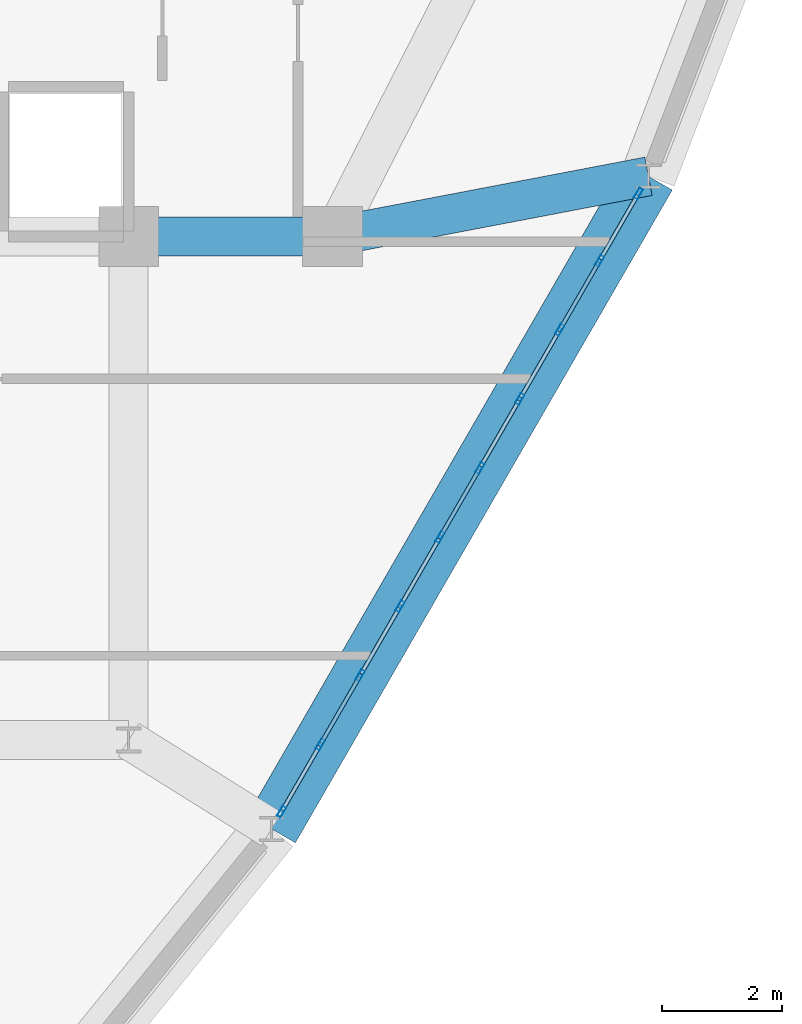
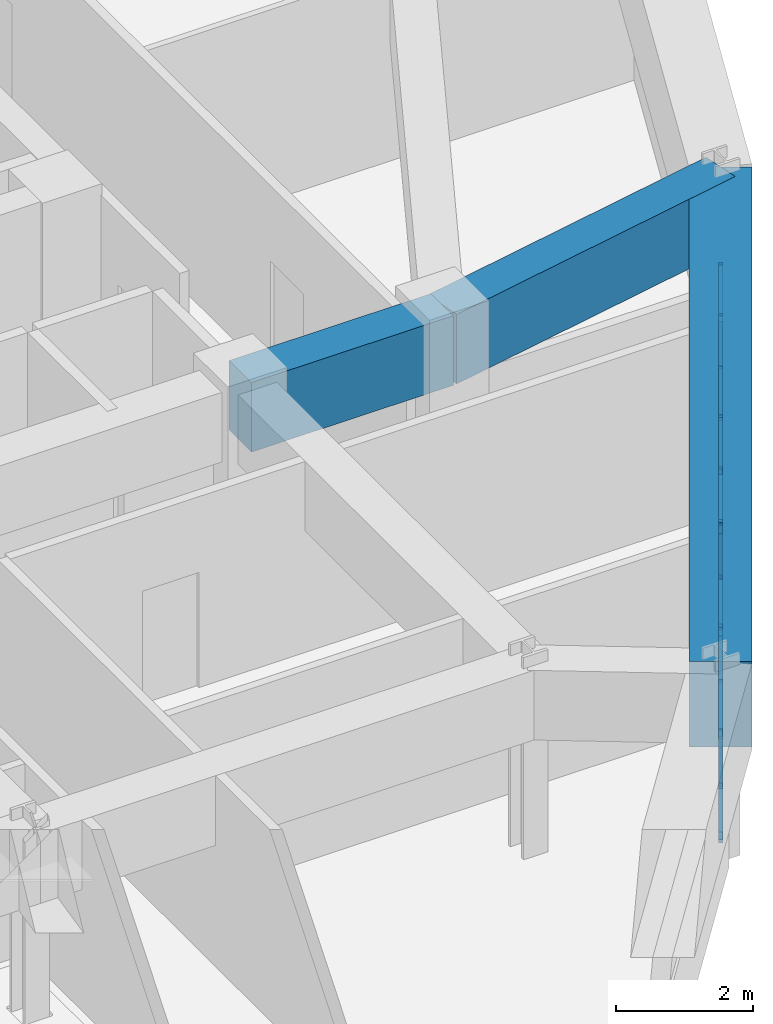
# One storey, part 6 of 13: 31 members, 3 beams, 1 element without a shape of its own.
"""IFC4 building model written with IfcOpenShell, lengths in metres."""

from ifc_helpers import new_model, si_unit, derived_unit, direction, frame, origin, origin_2d, place, context, subcontext, project, spatial, rectangle, hollow_rectangle, extrude, source, transform, mapped, material, layer, layer_set, material_profile, profile_set, type_object, element, aggregate, save


model = new_model("IFC4")

# Units and contexts
model_context = context("Model", 3, precision=1e-05, world=origin(), true_north=direction((0.0, 1.0)))
body_context = subcontext(model_context, "Body", "Model", "MODEL_VIEW")
ifc_project = project(units=[si_unit("LENGTHUNIT", "METRE"), si_unit("AREAUNIT", "SQUARE_METRE"), si_unit("VOLUMEUNIT", "CUBIC_METRE"), si_unit("PLANEANGLEUNIT", "RADIAN"), si_unit("MASSUNIT", "GRAM", prefix="KILO"), derived_unit("THERMALTRANSMITTANCEUNIT", [(si_unit("POWERUNIT", "WATT"), 1), (si_unit("LENGTHUNIT", "METRE"), -2), (si_unit("THERMODYNAMICTEMPERATUREUNIT", "KELVIN"), -1)])], contexts=[model_context])

# Site, building, storey
site_placement = place(None, origin())
site = spatial("IfcSite", under=ifc_project, at=site_placement, CompositionType="ELEMENT")
building_placement = place(site_placement, origin())
building = spatial("IfcBuilding", under=site, at=building_placement, Name="Korsvarv Bourse and Concert Hall", CompositionType="ELEMENT")
storey_placement = place(building_placement, frame((0.0, 0.0, 183.0)))
storey = spatial("IfcBuildingStorey", under=building, at=storey_placement, Name="L47", CompositionType="ELEMENT", Elevation=183.0)

# Beams
ifc_material_1 = material(Name="Concrete C50/60", Category="concrete")
ifc_material_profile_1 = material_profile(ifc_material_1, rectangle(XDim=0.64990234375, YDim=1.239990234375, at=origin_2d()), Name="RC-BM 650x1240")
ifc_profile_set_1 = profile_set([ifc_material_profile_1], Name="Concrete C50/60")
beam_type_1 = type_object("IfcBeamType", Name="BM-TR-SPN", PredefinedType="BEAM", material=ifc_profile_set_1)
shared_shape_1 = source(origin(), body_context, "Body", "SweptSolid", [
    extrude(rectangle(XDim=0.64990234375, YDim=1.239990234375, at=origin_2d()), origin(), (0.0, 0.0, 1.0), 3.400146484375),
])
beam_1_placement = place(storey_placement, frame((44.39990234375, 32.39990234375, 2.780029296875), z_axis=(1.0, 0.0, 0.0), x_axis=(0.0, 1.0, 0.0)))
element("IfcBeam", 1, at=beam_1_placement, inside=storey, type_object=beam_type_1, Name="L47 beam B-TRS", PredefinedType="BEAM", context=body_context, shape_type="MappedRepresentation", body=[
    mapped(shared_shape_1, transform((0.0, 0.0, 0.0), scale=1.0)),
])
ifc_material_profile_2 = material_profile(ifc_material_1, rectangle(XDim=0.919921875, YDim=1.530029296875, at=origin_2d()), Name="RC-BM 920x1530")
ifc_profile_set_2 = profile_set([ifc_material_profile_2], Name="Concrete C50/60")
beam_type_2 = type_object("IfcBeamType", Name="BM-TR-154", PredefinedType="BEAM", material=ifc_profile_set_2)
shared_shape_2 = source(origin(), body_context, "Body", "SweptSolid", [
    extrude(rectangle(XDim=0.919921875, YDim=1.530029296875, at=origin_2d()), origin(), (0.0, 0.0, 1.0), 12.57861328125),
])
beam_2_placement = place(storey_placement, frame((46.783203125, 22.51220703125, 2.635009765625), z_axis=(0.500003032783, 0.866023652799, 0.0), x_axis=(-0.866023652799, 0.500003032783, 0.0)))
element("IfcBeam", 2, at=beam_2_placement, inside=storey, type_object=beam_type_2, Name="L47 beam B-TR6", PredefinedType="BEAM", context=body_context, shape_type="MappedRepresentation", body=[
    mapped(shared_shape_2, transform((0.0, 0.0, 0.0), scale=1.0)),
])
shared_shape_3 = source(origin(), body_context, "Body", "SweptSolid", [
    extrude(rectangle(XDim=0.64990234375, YDim=1.239990234375, at=origin_2d()), origin(), (0.0, 0.0, 1.0), 5.367431640625),
])
beam_3_placement = place(storey_placement, frame((53.072509765625, 33.405517578125, 2.780029296875), z_axis=(-0.982292753488, -0.187352465809, 0.0), x_axis=(0.187352465809, -0.982292753488, 0.0)))
element("IfcBeam", 3, at=beam_3_placement, inside=storey, type_object=beam_type_1, Name="L47 beam B-TRS", PredefinedType="BEAM", context=body_context, shape_type="MappedRepresentation", body=[
    mapped(shared_shape_3, transform((0.0, 0.0, 0.0), scale=1.0)),
])

# Curtain wall, members
ifc_material_2 = material(Name="Anodised aluminium and triple low-E glazing", Category="glass")
ifc_layer = layer(ifc_material_2, 0.199951171875)
ifc_layer_set = layer_set([ifc_layer], Name="Anodised aluminium and triple low-E glazing")
curtain_wall_type = type_object("IfcCurtainWallType", Name="CW-SYS-3", PredefinedType="NOTDEFINED", material=ifc_layer_set)
curtain_wall_placement = place(storey_placement, origin())
curtain_wall = element("IfcCurtainWall", 4, at=curtain_wall_placement, inside=storey, type_object=curtain_wall_type, Name="L47 CW3 curtain wall CW-L47-F11", PredefinedType="NOTDEFINED")
ifc_material_3 = material(Name="Extruded aluminium EN AW-6063 T66", Category="aluminium")
ifc_material_profile_3 = material_profile(ifc_material_3, hollow_rectangle(XDim=0.070068359375, YDim=0.18994140625, WallThickness=0.0048828125, at=origin_2d()), Name="ALU-M 70x190")
ifc_profile_set_3 = profile_set([ifc_material_profile_3], Name="Extruded aluminium EN AW-6063 T66")
member_type_1 = type_object("IfcMemberType", Name="CWM-190", PredefinedType="MULLION", material=ifc_profile_set_3)
shared_shape_4 = source(origin(), body_context, "Body", "SweptSolid", [
    extrude(hollow_rectangle(XDim=0.070068359375, YDim=0.18994140625, WallThickness=0.0048828125, at=origin_2d()), origin(), (0.0, 0.0, 1.0), 1.8701171875),
])
member_1_placement = place(storey_placement, frame((46.94970703125, 22.80029296875, 0.0), z_axis=(0.0, 0.0, 1.0), x_axis=(-0.866028825281, 0.499994073747, 0.0)))
member_1 = element("IfcMember", 5, at=member_1_placement, type_object=member_type_1, Name="CW3 mullion 1", PredefinedType="MULLION", context=body_context, shape_type="MappedRepresentation", body=[
    mapped(shared_shape_4, transform((0.0, 0.0, 0.0), scale=1.0)),
])
member_2_placement = place(storey_placement, frame((47.597900390625, 23.923095703125, 0.0), z_axis=(0.0, 0.0, 1.0), x_axis=(-0.866028825281, 0.499994073747, 0.0)))
member_2 = element("IfcMember", 6, at=member_2_placement, type_object=member_type_1, Name="CW3 mullion 2", PredefinedType="MULLION", context=body_context, shape_type="MappedRepresentation", body=[
    mapped(shared_shape_4, transform((0.0, 0.0, 0.0), scale=1.0)),
])
member_3_placement = place(storey_placement, frame((48.263427734375, 25.076171875, 0.0), z_axis=(0.0, 0.0, 1.0), x_axis=(-0.866028825281, 0.499994073747, 0.0)))
member_3 = element("IfcMember", 7, at=member_3_placement, type_object=member_type_1, Name="CW3 mullion 3", PredefinedType="MULLION", context=body_context, shape_type="MappedRepresentation", body=[
    mapped(shared_shape_4, transform((0.0, 0.0, 0.0), scale=1.0)),
])
member_4_placement = place(storey_placement, frame((48.92919921875, 26.229248046875, 0.0), z_axis=(0.0, 0.0, 1.0), x_axis=(-0.866028825281, 0.499994073747, 0.0)))
member_4 = element("IfcMember", 8, at=member_4_placement, type_object=member_type_1, Name="CW3 mullion 4", PredefinedType="MULLION", context=body_context, shape_type="MappedRepresentation", body=[
    mapped(shared_shape_4, transform((0.0, 0.0, 0.0), scale=1.0)),
])
member_5_placement = place(storey_placement, frame((49.594970703125, 27.38232421875, 0.0), z_axis=(0.0, 0.0, 1.0), x_axis=(-0.866028825281, 0.499994073747, 0.0)))
member_5 = element("IfcMember", 9, at=member_5_placement, type_object=member_type_1, Name="CW3 mullion 5", PredefinedType="MULLION", context=body_context, shape_type="MappedRepresentation", body=[
    mapped(shared_shape_4, transform((0.0, 0.0, 0.0), scale=1.0)),
])
member_6_placement = place(storey_placement, frame((50.260498046875, 28.535400390625, 0.0), z_axis=(0.0, 0.0, 1.0), x_axis=(-0.866028825281, 0.499994073747, 0.0)))
member_6 = element("IfcMember", 10, at=member_6_placement, type_object=member_type_1, Name="CW3 mullion 6", PredefinedType="MULLION", context=body_context, shape_type="MappedRepresentation", body=[
    mapped(shared_shape_4, transform((0.0, 0.0, 0.0), scale=1.0)),
])
member_7_placement = place(storey_placement, frame((50.92626953125, 29.6884765625, 0.0), z_axis=(0.0, 0.0, 1.0), x_axis=(-0.866028825281, 0.499994073747, 0.0)))
member_7 = element("IfcMember", 11, at=member_7_placement, type_object=member_type_1, Name="CW3 mullion 7", PredefinedType="MULLION", context=body_context, shape_type="MappedRepresentation", body=[
    mapped(shared_shape_4, transform((0.0, 0.0, 0.0), scale=1.0)),
])
member_8_placement = place(storey_placement, frame((51.592041015625, 30.84130859375, 0.0), z_axis=(0.0, 0.0, 1.0), x_axis=(-0.866028825281, 0.499994073747, 0.0)))
member_8 = element("IfcMember", 12, at=member_8_placement, type_object=member_type_1, Name="CW3 mullion 8", PredefinedType="MULLION", context=body_context, shape_type="MappedRepresentation", body=[
    mapped(shared_shape_4, transform((0.0, 0.0, 0.0), scale=1.0)),
])
member_9_placement = place(storey_placement, frame((52.2578125, 31.994384765625, 0.0), z_axis=(0.0, 0.0, 1.0), x_axis=(-0.866028825281, 0.499994073747, 0.0)))
member_9 = element("IfcMember", 13, at=member_9_placement, type_object=member_type_1, Name="CW3 mullion 9", PredefinedType="MULLION", context=body_context, shape_type="MappedRepresentation", body=[
    mapped(shared_shape_4, transform((0.0, 0.0, 0.0), scale=1.0)),
])
member_10_placement = place(storey_placement, frame((52.906005859375, 33.1171875, 0.0), z_axis=(0.0, 0.0, 1.0), x_axis=(-0.866028825281, 0.499994073747, 0.0)))
member_10 = element("IfcMember", 14, at=member_10_placement, type_object=member_type_1, Name="CW3 mullion 10", PredefinedType="MULLION", context=body_context, shape_type="MappedRepresentation", body=[
    mapped(shared_shape_4, transform((0.0, 0.0, 0.0), scale=1.0)),
])
ifc_material_profile_4 = material_profile(ifc_material_3, hollow_rectangle(XDim=0.06494140625, YDim=0.139892578125, WallThickness=0.00390625, at=origin_2d()), Name="ALU-T 65x140")
ifc_profile_set_4 = profile_set([ifc_material_profile_4], Name="Extruded aluminium EN AW-6063 T66")
member_type_2 = type_object("IfcMemberType", Name="CWT-140", PredefinedType="USERDEFINED", material=ifc_profile_set_4)
shared_shape_5 = source(origin(), body_context, "Body", "SweptSolid", [
    extrude(hollow_rectangle(XDim=0.06494140625, YDim=0.139892578125, WallThickness=0.00390625, at=origin_2d()), origin(), (0.0, 0.0, 1.0), 1.2265625),
])
member_11_placement = place(storey_placement, frame((52.275146484375, 32.024658203125, 0.032470703125), z_axis=(0.49999238347, 0.866029801145, 0.0), x_axis=(-0.866029801145, 0.49999238347, 0.0)))
member_11 = element("IfcMember", 15, at=member_11_placement, type_object=member_type_2, Name="CW3 transom 9.1", ObjectType="TRANSOM", PredefinedType="USERDEFINED", context=body_context, shape_type="MappedRepresentation", body=[
    mapped(shared_shape_5, transform((0.0, 0.0, 0.0), scale=1.0)),
])
member_12_placement = place(storey_placement, frame((52.275146484375, 32.024658203125, 1.83740234375), z_axis=(0.49999238347, 0.866029801145, 0.0), x_axis=(-0.866029801145, 0.49999238347, 0.0)))
member_12 = element("IfcMember", 16, at=member_12_placement, type_object=member_type_2, Name="CW3 transom 9.2", ObjectType="TRANSOM", PredefinedType="USERDEFINED", context=body_context, shape_type="MappedRepresentation", body=[
    mapped(shared_shape_5, transform((0.0, 0.0, 0.0), scale=1.0)),
])
shared_shape_6 = source(origin(), body_context, "Body", "SweptSolid", [
    extrude(hollow_rectangle(XDim=0.06494140625, YDim=0.139892578125, WallThickness=0.00390625, at=origin_2d()), origin(), (0.0, 0.0, 1.0), 1.26123046875),
])
member_13_placement = place(storey_placement, frame((50.278076171875, 28.565673828125, 0.032470703125), z_axis=(0.499990548297, 0.866030860659, 0.0), x_axis=(-0.866030860659, 0.499990548297, 0.0)))
member_13 = element("IfcMember", 17, at=member_13_placement, type_object=member_type_2, Name="CW3 transom 6.1", ObjectType="TRANSOM", PredefinedType="USERDEFINED", context=body_context, shape_type="MappedRepresentation", body=[
    mapped(shared_shape_6, transform((0.0, 0.0, 0.0), scale=1.0)),
])
member_14_placement = place(storey_placement, frame((50.278076171875, 28.565673828125, 1.83740234375), z_axis=(0.499990548297, 0.866030860659, 0.0), x_axis=(-0.866030860659, 0.499990548297, 0.0)))
member_14 = element("IfcMember", 18, at=member_14_placement, type_object=member_type_2, Name="CW3 transom 6.2", ObjectType="TRANSOM", PredefinedType="USERDEFINED", context=body_context, shape_type="MappedRepresentation", body=[
    mapped(shared_shape_6, transform((0.0, 0.0, 0.0), scale=1.0)),
])
member_15_placement = place(storey_placement, frame((50.94384765625, 29.71875, 0.032470703125), z_axis=(0.499990548297, 0.866030860659, 0.0), x_axis=(-0.866030860659, 0.499990548297, 0.0)))
member_15 = element("IfcMember", 19, at=member_15_placement, type_object=member_type_2, Name="CW3 transom 7.1", ObjectType="TRANSOM", PredefinedType="USERDEFINED", context=body_context, shape_type="MappedRepresentation", body=[
    mapped(shared_shape_6, transform((0.0, 0.0, 0.0), scale=1.0)),
])
member_16_placement = place(storey_placement, frame((50.94384765625, 29.71875, 1.83740234375), z_axis=(0.499990548297, 0.866030860659, 0.0), x_axis=(-0.866030860659, 0.499990548297, 0.0)))
member_16 = element("IfcMember", 20, at=member_16_placement, type_object=member_type_2, Name="CW3 transom 7.2", ObjectType="TRANSOM", PredefinedType="USERDEFINED", context=body_context, shape_type="MappedRepresentation", body=[
    mapped(shared_shape_6, transform((0.0, 0.0, 0.0), scale=1.0)),
])
member_17_placement = place(storey_placement, frame((51.609619140625, 30.871826171875, 0.032470703125), z_axis=(0.499990548297, 0.866030860659, 0.0), x_axis=(-0.866030860659, 0.499990548297, 0.0)))
member_17 = element("IfcMember", 21, at=member_17_placement, type_object=member_type_2, Name="CW3 transom 8.1", ObjectType="TRANSOM", PredefinedType="USERDEFINED", context=body_context, shape_type="MappedRepresentation", body=[
    mapped(shared_shape_6, transform((0.0, 0.0, 0.0), scale=1.0)),
])
member_18_placement = place(storey_placement, frame((51.609619140625, 30.871826171875, 1.83740234375), z_axis=(0.499990548297, 0.866030860659, 0.0), x_axis=(-0.866030860659, 0.499990548297, 0.0)))
member_18 = element("IfcMember", 22, at=member_18_placement, type_object=member_type_2, Name="CW3 transom 8.2", ObjectType="TRANSOM", PredefinedType="USERDEFINED", context=body_context, shape_type="MappedRepresentation", body=[
    mapped(shared_shape_6, transform((0.0, 0.0, 0.0), scale=1.0)),
])
ifc_material_profile_5 = material_profile(ifc_material_3, hollow_rectangle(XDim=0.06494140625, YDim=0.1650390625, WallThickness=0.0048828125, at=origin_2d()), Name="ALU-M 65x165")
ifc_profile_set_5 = profile_set([ifc_material_profile_5], Name="Extruded aluminium EN AW-6063 T66")
member_type_3 = type_object("IfcMemberType", Name="CWM-165", PredefinedType="MULLION", material=ifc_profile_set_5)
shared_shape_7 = source(origin(), body_context, "Body", "SweptSolid", [
    extrude(hollow_rectangle(XDim=0.06494140625, YDim=0.1650390625, WallThickness=0.0048828125, at=origin_2d()), origin(), (0.0, 0.0, 1.0), 2.14892578125),
])
member_19_placement = place(storey_placement, frame((51.609619140625, 30.871826171875, 0.06494140625), z_axis=(0.293441848657, 0.508269001506, 0.809663203786), x_axis=(-0.866030860659, 0.499990548297, 0.0)))
member_19 = element("IfcMember", 23, at=member_19_placement, type_object=member_type_3, Name="CW3 diagonal mullion 8", PredefinedType="MULLION", context=body_context, shape_type="MappedRepresentation", body=[
    mapped(shared_shape_7, transform((0.0, 0.0, 0.0), scale=1.0)),
])
shared_shape_8 = source(origin(), body_context, "Body", "SweptSolid", [
    extrude(hollow_rectangle(XDim=0.06494140625, YDim=0.139892578125, WallThickness=0.00390625, at=origin_2d()), origin(), (0.0, 0.0, 1.0), 1.261474609375),
])
member_20_placement = place(storey_placement, frame((47.615234375, 23.953369140625, 0.032470703125), z_axis=(0.500051892845, 0.865995441363, 0.0), x_axis=(-0.865995441363, 0.500051892845, 0.0)))
member_20 = element("IfcMember", 24, at=member_20_placement, type_object=member_type_2, Name="CW3 transom 2.1", ObjectType="TRANSOM", PredefinedType="USERDEFINED", context=body_context, shape_type="MappedRepresentation", body=[
    mapped(shared_shape_8, transform((0.0, 0.0, 0.0), scale=1.0)),
])
member_21_placement = place(storey_placement, frame((47.615234375, 23.953369140625, 1.83740234375), z_axis=(0.500051892845, 0.865995441363, 0.0), x_axis=(-0.865995441363, 0.500051892845, 0.0)))
member_21 = element("IfcMember", 25, at=member_21_placement, type_object=member_type_2, Name="CW3 transom 2.2", ObjectType="TRANSOM", PredefinedType="USERDEFINED", context=body_context, shape_type="MappedRepresentation", body=[
    mapped(shared_shape_8, transform((0.0, 0.0, 0.0), scale=1.0)),
])
member_22_placement = place(storey_placement, frame((48.281005859375, 25.1064453125, 0.032470703125), z_axis=(0.499906742921, 0.86607923909, 0.0), x_axis=(-0.86607923909, 0.499906742921, 0.0)))
member_22 = element("IfcMember", 26, at=member_22_placement, type_object=member_type_2, Name="CW3 transom 3.1", ObjectType="TRANSOM", PredefinedType="USERDEFINED", context=body_context, shape_type="MappedRepresentation", body=[
    mapped(shared_shape_8, transform((0.0, 0.0, 0.0), scale=1.0)),
])
member_23_placement = place(storey_placement, frame((48.281005859375, 25.1064453125, 1.83740234375), z_axis=(0.499906742921, 0.86607923909, 0.0), x_axis=(-0.86607923909, 0.499906742921, 0.0)))
member_23 = element("IfcMember", 27, at=member_23_placement, type_object=member_type_2, Name="CW3 transom 3.2", ObjectType="TRANSOM", PredefinedType="USERDEFINED", context=body_context, shape_type="MappedRepresentation", body=[
    mapped(shared_shape_8, transform((0.0, 0.0, 0.0), scale=1.0)),
])
member_24_placement = place(storey_placement, frame((48.94677734375, 26.259521484375, 0.032470703125), z_axis=(0.499906742921, 0.86607923909, 0.0), x_axis=(-0.86607923909, 0.499906742921, 0.0)))
member_24 = element("IfcMember", 28, at=member_24_placement, type_object=member_type_2, Name="CW3 transom 4.1", ObjectType="TRANSOM", PredefinedType="USERDEFINED", context=body_context, shape_type="MappedRepresentation", body=[
    mapped(shared_shape_8, transform((0.0, 0.0, 0.0), scale=1.0)),
])
member_25_placement = place(storey_placement, frame((48.94677734375, 26.259521484375, 1.83740234375), z_axis=(0.499906742921, 0.86607923909, 0.0), x_axis=(-0.86607923909, 0.499906742921, 0.0)))
member_25 = element("IfcMember", 29, at=member_25_placement, type_object=member_type_2, Name="CW3 transom 4.2", ObjectType="TRANSOM", PredefinedType="USERDEFINED", context=body_context, shape_type="MappedRepresentation", body=[
    mapped(shared_shape_8, transform((0.0, 0.0, 0.0), scale=1.0)),
])
member_26_placement = place(storey_placement, frame((49.6123046875, 27.41259765625, 0.032470703125), z_axis=(0.500051892845, 0.865995441363, 0.0), x_axis=(-0.865995441363, 0.500051892845, 0.0)))
member_26 = element("IfcMember", 30, at=member_26_placement, type_object=member_type_2, Name="CW3 transom 5.1", ObjectType="TRANSOM", PredefinedType="USERDEFINED", context=body_context, shape_type="MappedRepresentation", body=[
    mapped(shared_shape_8, transform((0.0, 0.0, 0.0), scale=1.0)),
])
member_27_placement = place(storey_placement, frame((49.6123046875, 27.41259765625, 1.83740234375), z_axis=(0.500051892845, 0.865995441363, 0.0), x_axis=(-0.865995441363, 0.500051892845, 0.0)))
member_27 = element("IfcMember", 31, at=member_27_placement, type_object=member_type_2, Name="CW3 transom 5.2", ObjectType="TRANSOM", PredefinedType="USERDEFINED", context=body_context, shape_type="MappedRepresentation", body=[
    mapped(shared_shape_8, transform((0.0, 0.0, 0.0), scale=1.0)),
])
shared_shape_9 = source(origin(), body_context, "Body", "SweptSolid", [
    extrude(hollow_rectangle(XDim=0.06494140625, YDim=0.1650390625, WallThickness=0.0048828125, at=origin_2d()), origin(), (0.0, 0.0, 1.0), 2.149169921875),
])
member_28_placement = place(storey_placement, frame((47.615234375, 23.953369140625, 0.06494140625), z_axis=(0.293528717011, 0.508336303648, 0.809589460581), x_axis=(-0.865995441363, 0.500051892845, 0.0)))
member_28 = element("IfcMember", 32, at=member_28_placement, type_object=member_type_3, Name="CW3 diagonal mullion 2", PredefinedType="MULLION", context=body_context, shape_type="MappedRepresentation", body=[
    mapped(shared_shape_9, transform((0.0, 0.0, 0.0), scale=1.0)),
])
member_29_placement = place(storey_placement, frame((50.2431640625, 28.505126953125, 0.06494140625), z_axis=(-0.293528717011, -0.508336303648, 0.809589460581), x_axis=(0.865995441363, -0.500051892845, 0.0)))
member_29 = element("IfcMember", 33, at=member_29_placement, type_object=member_type_3, Name="CW3 diagonal mullion 5", PredefinedType="MULLION", context=body_context, shape_type="MappedRepresentation", body=[
    mapped(shared_shape_9, transform((0.0, 0.0, 0.0), scale=1.0)),
])
shared_shape_10 = source(origin(), body_context, "Body", "SweptSolid", [
    extrude(hollow_rectangle(XDim=0.06494140625, YDim=0.139892578125, WallThickness=0.00390625, at=origin_2d()), origin(), (0.0, 0.0, 1.0), 1.226318359375),
])
member_30_placement = place(storey_placement, frame((46.967041015625, 22.830810546875, 0.032470703125), z_axis=(0.500078582497, 0.865980029404, 0.0), x_axis=(-0.865980029404, 0.500078582497, 0.0)))
member_30 = element("IfcMember", 34, at=member_30_placement, type_object=member_type_2, Name="CW3 transom 1.1", ObjectType="TRANSOM", PredefinedType="USERDEFINED", context=body_context, shape_type="MappedRepresentation", body=[
    mapped(shared_shape_10, transform((0.0, 0.0, 0.0), scale=1.0)),
])
member_31_placement = place(storey_placement, frame((46.967041015625, 22.830810546875, 1.83740234375), z_axis=(0.500078582497, 0.865980029404, 0.0), x_axis=(-0.865980029404, 0.500078582497, 0.0)))
member_31 = element("IfcMember", 35, at=member_31_placement, type_object=member_type_2, Name="CW3 transom 1.2", ObjectType="TRANSOM", PredefinedType="USERDEFINED", context=body_context, shape_type="MappedRepresentation", body=[
    mapped(shared_shape_10, transform((0.0, 0.0, 0.0), scale=1.0)),
])
aggregate(curtain_wall, [member_1, member_2, member_3, member_4, member_5, member_6, member_7, member_8, member_9, member_10, member_30, member_31, member_20, member_21, member_28, member_22, member_23, member_24, member_25, member_26, member_27, member_29, member_13, member_14, member_15, member_16, member_17, member_18, member_19, member_11, member_12])

save(model, "model.ifc")
